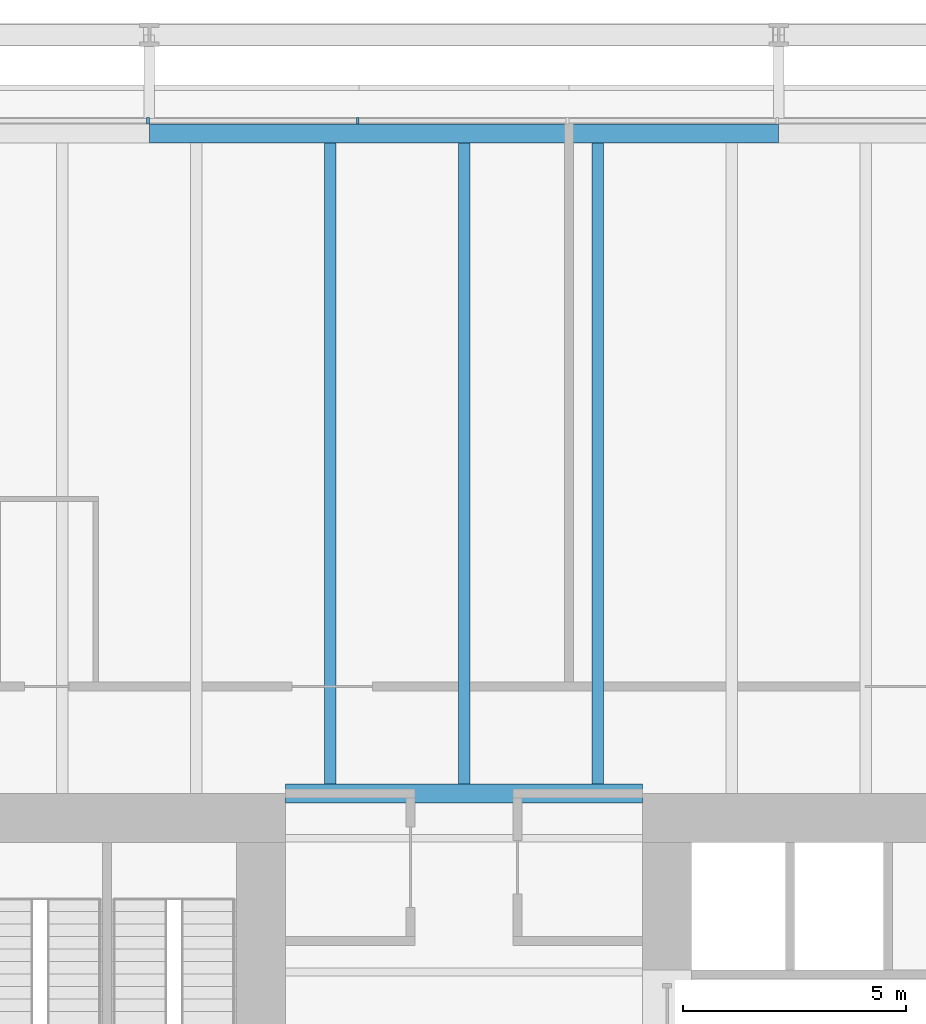
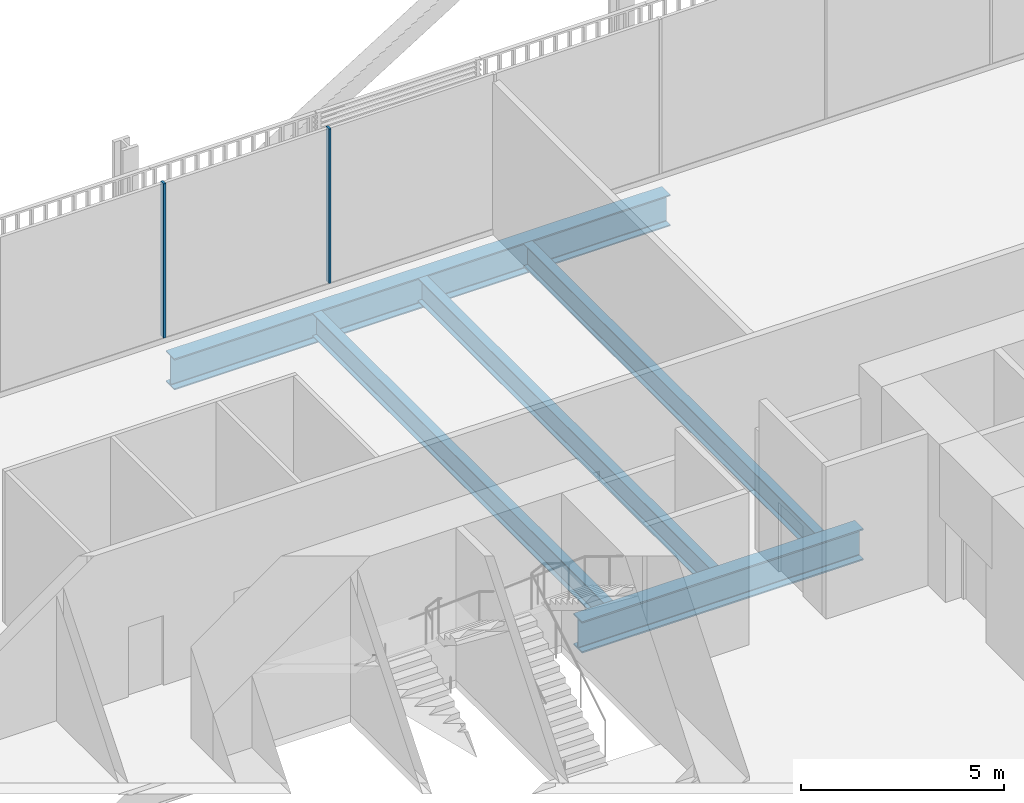
# One storey, part 12 of 26: 5 beams, 2 members, 1 element without a shape of its own.
"""IFC4 building model written with IfcOpenShell, lengths in metres."""

from ifc_helpers import new_model, si_unit, direction, frame, origin, origin_2d, place, context, subcontext, project, spatial, rectangle, i_section, extrude, material, layer, layer_set, material_profile, profile_set, type_object, element, aggregate, save


model = new_model("IFC4")

# Units and contexts
model_context = context("Model", 3, precision=1e-05, world=origin(), true_north=direction((0.0, 1.0)))
body_context = subcontext(model_context, "Body", "Model", "MODEL_VIEW")
ifc_project = project(units=[si_unit("LENGTHUNIT", "METRE"), si_unit("AREAUNIT", "SQUARE_METRE"), si_unit("VOLUMEUNIT", "CUBIC_METRE"), si_unit("PLANEANGLEUNIT", "RADIAN"), si_unit("MASSUNIT", "GRAM", prefix="KILO")], contexts=[model_context])

# Site, building, storey
site_placement = place(None, origin())
site = spatial("IfcSite", under=ifc_project, at=site_placement, CompositionType="ELEMENT")
building_placement = place(site_placement, origin())
building = spatial("IfcBuilding", under=site, at=building_placement, Name="Millrace Tower", CompositionType="ELEMENT")
storey_placement = place(building_placement, frame((0.0, 0.0, 11.300048828125)))
storey = spatial("IfcBuildingStorey", under=building, at=storey_placement, Name="L03", CompositionType="ELEMENT", Elevation=11.300048828125)

# Curtain wall, members
ifc_material_1 = material(Name="Aluminium and glass", Category="aluminium")
ifc_layer = layer(ifc_material_1, 0.14990234375)
ifc_layer_set = layer_set([ifc_layer], Name="Aluminium and glass")
curtain_wall_type = type_object("IfcCurtainWallType", Name="CW-2 data hall insulated curtain wall", PredefinedType="NOTDEFINED", material=ifc_layer_set)
curtain_wall_placement = place(storey_placement, origin())
curtain_wall = element("IfcCurtainWall", 1, at=curtain_wall_placement, inside=storey, type_object=curtain_wall_type, Name="Curtain wall AW3-F04 L03", PredefinedType="NOTDEFINED")
ifc_material_2 = material(Name="Aluminium", Category="aluminium")
ifc_material_profile_1 = material_profile(ifc_material_2, rectangle(XDim=0.06494140625, YDim=0.14990234375, at=origin_2d()))
ifc_profile_set_1 = profile_set([ifc_material_profile_1], Name="Aluminium")
member_type = type_object("IfcMemberType", Name="CW-2 data hall insulated curtain wall mullion", PredefinedType="MULLION", material=ifc_profile_set_1)
member_1_placement = place(storey_placement, frame((-2.382568359375, 25.074951171875, 0.159912109375), z_axis=(0.0, 0.0, 1.0), x_axis=(-1.0, 0.0, 0.0)))
member_1 = element("IfcMember", 2, at=member_1_placement, type_object=member_type, Name="CW2 mullion AW3-F04.6", PredefinedType="MULLION", context=body_context, shape_type="SweptSolid", body=[
    extrude(rectangle(XDim=0.06494140625, YDim=0.14990234375, at=origin_2d()), origin(), (0.0, 0.0, 1.0), 4.64013671875),
])
member_2_placement = place(storey_placement, frame((-7.08251953125, 25.074951171875, 0.159912109375), z_axis=(0.0, 0.0, 1.0), x_axis=(-1.0, 0.0, 0.0)))
member_2 = element("IfcMember", 3, at=member_2_placement, type_object=member_type, Name="CW2 mullion AW3-F04.7", PredefinedType="MULLION", context=body_context, shape_type="SweptSolid", body=[
    extrude(rectangle(XDim=0.06494140625, YDim=0.14990234375, at=origin_2d()), origin(), (0.0, 0.0, 1.0), 4.64013671875),
])
aggregate(curtain_wall, [member_1, member_2])

# Beams
ifc_material_3 = material(Name="Steel ASTM A992 Grade 50", Category="steel")
ifc_material_profile_2 = material_profile(ifc_material_3, i_section(OverallWidth=0.256591796875, OverallDepth=0.693359375, WebThickness=0.014404296875, FlangeThickness=0.023681640625, FilletRadius=0.01513671875, at=origin_2d()))
ifc_profile_set_2 = profile_set([ifc_material_profile_2], Name="Steel ASTM A992 Grade 50")
beam_type_1 = type_object("IfcBeamType", Name="Floor beam W27x114", PredefinedType="JOIST", material=ifc_profile_set_2)
for number, where, z_axis, x_axis, name in (
    (4, (-3.0, 10.212158203125, -0.57177734375), (0.0, 1.0, 0.0), (-1.0, 0.0, 0.0), "BM-A-L03-S1-S054"),
    (5, (0.0, 10.212158203125, -0.57177734375), (0.0, 1.0, 0.0), (-1.0, 0.0, 0.0), "BM-A-L03-S1-S056"),
    (6, (3.0, 10.212158203125, -0.57177734375), (0.0, 1.0, 0.0), (-1.0, 0.0, 0.0), "BM-A-L03-S1-S058"),
):
    element("IfcBeam", number, at=place(storey_placement, frame(where, z_axis=z_axis, x_axis=x_axis)), inside=storey, type_object=beam_type_1, Name=name, PredefinedType="JOIST", context=body_context, shape_type="SweptSolid", body=[
        extrude(i_section(OverallWidth=0.256591796875, OverallDepth=0.693359375, WebThickness=0.014404296875, FlangeThickness=0.023681640625, FilletRadius=0.01513671875, at=origin_2d()), origin(), (0.0, 0.0, 1.0), 14.3662109375),
    ])
ifc_material_4 = material(Name="Steel ASTM A992 Grade 50", Category="steel")
ifc_material_profile_3 = material_profile(ifc_material_4, i_section(OverallWidth=0.424072265625, OverallDepth=0.947509765625, WebThickness=0.02392578125, FlangeThickness=0.042724609375, FilletRadius=0.024169921875, at=origin_2d()))
ifc_profile_set_3 = profile_set([ifc_material_profile_3], Name="Steel ASTM A992 Grade 50")
beam_type_2 = type_object("IfcBeamType", Name="Girder short span W36x302", PredefinedType="BEAM", material=ifc_profile_set_3)
beam_1_placement = place(storey_placement, frame((-4.0, 10.0, -0.69873046875), z_axis=(1.0, 0.0, 0.0), x_axis=(0.0, 1.0, 0.0)))
element("IfcBeam", 7, at=beam_1_placement, inside=storey, type_object=beam_type_2, Name="BM-A-L03-S1-G070", PredefinedType="BEAM", context=body_context, shape_type="SweptSolid", body=[
    extrude(i_section(OverallWidth=0.424072265625, OverallDepth=0.947509765625, WebThickness=0.02392578125, FlangeThickness=0.042724609375, FilletRadius=0.024169921875, at=origin_2d()), origin(), (0.0, 0.0, 1.0), 8.0),
])
ifc_material_5 = material(Name="Steel ASTM A992 Grade 50", Category="steel")
ifc_material_profile_4 = material_profile(ifc_material_5, i_section(OverallWidth=0.421630859375, OverallDepth=0.937255859375, WebThickness=0.021240234375, FlangeThickness=0.03662109375, FilletRadius=0.024169921875, at=origin_2d()))
ifc_profile_set_4 = profile_set([ifc_material_profile_4], Name="Steel ASTM A992 Grade 50")
beam_type_3 = type_object("IfcBeamType", Name="Ring beam medium span W36x262", PredefinedType="SPANDREL", material=ifc_profile_set_4)
beam_2_placement = place(storey_placement, frame((-7.050048828125, 24.7890625, -0.693603515625), z_axis=(1.0, 0.0, 0.0), x_axis=(0.0, 1.0, 0.0)))
element("IfcBeam", 8, at=beam_2_placement, inside=storey, type_object=beam_type_3, Name="RNG-A-L03-S1-07", PredefinedType="SPANDREL", context=body_context, shape_type="SweptSolid", body=[
    extrude(i_section(OverallWidth=0.421630859375, OverallDepth=0.937255859375, WebThickness=0.021240234375, FlangeThickness=0.03662109375, FilletRadius=0.024169921875, at=origin_2d()), origin(), (0.0, 0.0, 1.0), 14.10009765625),
])

save(model, "model.ifc")
